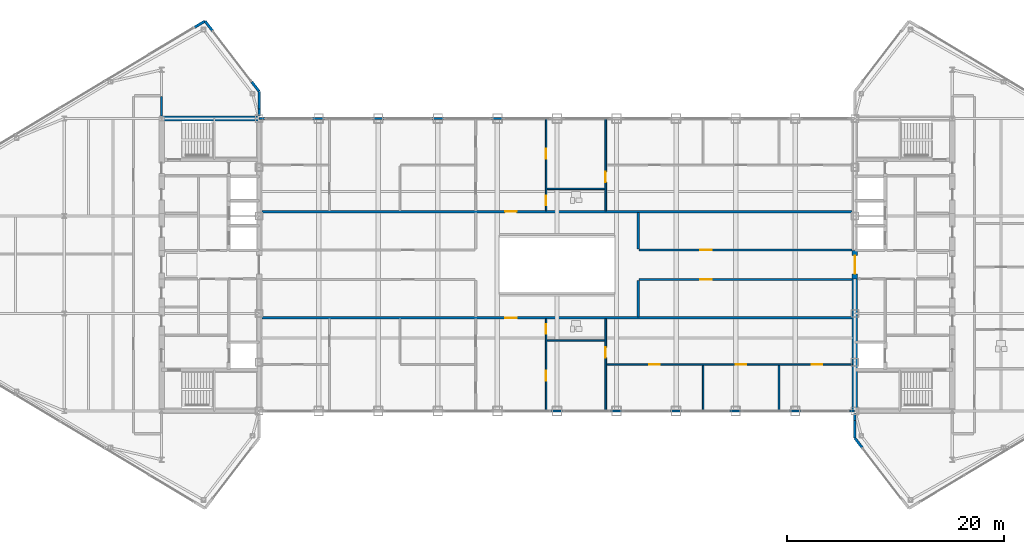
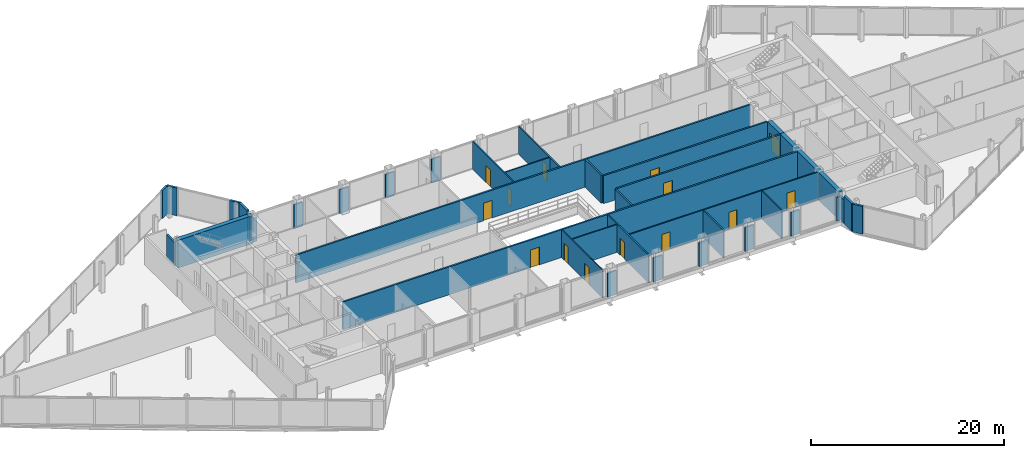
# One storey, part 23 of 29: 38 walls, 14 doors, 14 openings.
"""IFC4 building model written with IfcOpenShell, lengths in metres."""

from ifc_helpers import new_model, si_unit, direction, frame, frame_2d, origin, place, context, subcontext, project, spatial, rectangle, extrude, source, transform, mapped, material, layer, layer_set, type_object, type_shapes, element, fill, save


model = new_model("IFC4")

# Units and contexts
model_context = context("Model", 3, precision=1e-05, world=origin(), true_north=direction((0.0, 1.0)))
body_context = subcontext(model_context, "Body", "Model", "MODEL_VIEW")
ifc_project = project(units=[si_unit("LENGTHUNIT", "METRE"), si_unit("AREAUNIT", "SQUARE_METRE"), si_unit("VOLUMEUNIT", "CUBIC_METRE"), si_unit("PLANEANGLEUNIT", "RADIAN"), si_unit("MASSUNIT", "GRAM", prefix="KILO")], contexts=[model_context])

# Site, building, storey
site_placement = place(None, origin())
site = spatial("IfcSite", under=ifc_project, at=site_placement, CompositionType="ELEMENT")
building_placement = place(site_placement, origin())
building = spatial("IfcBuilding", under=site, at=building_placement, Name="Seokmaru Belvedere", CompositionType="ELEMENT")
storey_placement = place(building_placement, frame((0.0, 0.0, 258.14990234375)))
storey = spatial("IfcBuildingStorey", under=building, at=storey_placement, Name="L68", CompositionType="ELEMENT", Elevation=258.14990234375)

# Wall, openings, doors
ifc_material_1 = material(Name="Fire-Rated Gypsum Shaftwall")
ifc_layer_1 = layer(ifc_material_1, 0.14990234375)
ifc_layer_set_1 = layer_set([ifc_layer_1], Name="Fire-Rated Gypsum Shaftwall")
wall_type_1 = type_object("IfcWallType", Name="Apartment Fire-Acoustic Room Partition 150", PredefinedType="PARTITIONING", material=ifc_layer_set_1)
wall_1_placement = place(storey_placement, frame((4.5849609375, -9.199951171875, 0.0), z_axis=(0.0, 0.0, 1.0), x_axis=(1.0, 0.0, 0.0)))
wall_1 = element("IfcWall", 1, at=wall_1_placement, inside=storey, type_object=wall_type_1, Name="L68 Interior Partition 006", PredefinedType="PARTITIONING", context=body_context, shape_type="SweptSolid", body=[
    extrude(rectangle(XDim=22.66015625, YDim=0.14990234375, at=frame_2d((11.330078125, 0.0))), origin(), (0.0, 0.0, 1.0), 3.530029296875),
])
opening_1_placement = place(wall_1_placement, frame((3.93994140625, 0.0, 0.0)))
opening_1 = element("IfcOpeningElement", 2, at=opening_1_placement, cuts=wall_1, Name="Opening D05", PredefinedType="OPENING", context=body_context, shape_type="SweptSolid", body=[
    extrude(rectangle(XDim=0.949951171875, YDim=2.14990234375, at=frame_2d((0.47509765625, 1.074951171875))), frame((0.0, 0.0849609375, 0.0), z_axis=(0.0, -1.0, 0.0), x_axis=(1.0, 0.0, 0.0)), (0.0, 0.0, 1.0), 0.169921875),
])
opening_2_placement = place(wall_1_placement, frame((11.93994140625, 0.0, 0.0)))
opening_2 = element("IfcOpeningElement", 3, at=opening_2_placement, cuts=wall_1, Name="Opening D05", PredefinedType="OPENING", context=body_context, shape_type="SweptSolid", body=[
    extrude(rectangle(XDim=0.949951171875, YDim=2.14990234375, at=frame_2d((0.47509765625, 1.074951171875))), frame((0.0, 0.0849609375, 0.0), z_axis=(0.0, -1.0, 0.0), x_axis=(1.0, 0.0, 0.0)), (0.0, 0.0, 1.0), 0.169921875),
])
opening_3_placement = place(wall_1_placement, frame((18.93994140625, 0.0, 0.0)))
opening_3 = element("IfcOpeningElement", 4, at=opening_3_placement, cuts=wall_1, Name="Opening D05", PredefinedType="OPENING", context=body_context, shape_type="SweptSolid", body=[
    extrude(rectangle(XDim=0.949951171875, YDim=2.14990234375, at=frame_2d((0.47509765625, 1.074951171875))), frame((0.0, 0.0849609375, 0.0), z_axis=(0.0, -1.0, 0.0), x_axis=(1.0, 0.0, 0.0)), (0.0, 0.0, 1.0), 0.169921875),
])
ifc_material_2 = material(Name="Engineered White Oak Timber", Category="wood")
door_type_1 = type_object("IfcDoorType", Name="Apartment Interior Fire-Rated Oak Door 950x2150", OperationType="NOTDEFINED", PredefinedType="DOOR", material=ifc_material_2)
shared_shape_1 = source(origin(), body_context, "Body", "SweptSolid", [
    extrude(rectangle(XDim=0.949951171875, YDim=2.14990234375, at=frame_2d((0.47509765625, 1.074951171875))), frame((0.0, 0.02490234375, 0.0), z_axis=(0.0, -1.0, 0.0), x_axis=(1.0, 0.0, 0.0)), (0.0, 0.0, 1.0), 0.050048828125),
])
type_shapes(door_type_1, [shared_shape_1])
door_1_placement = place(opening_1_placement, origin())
door_1 = element("IfcDoor", 5, at=door_1_placement, inside=storey, type_object=door_type_1, Name="L68 Interior Door 026", OperationType="SINGLE_SWING_LEFT", OverallHeight=2.14990234375, OverallWidth=0.949951171875, PredefinedType="DOOR", context=body_context, shape_type="MappedRepresentation", body=[
    mapped(shared_shape_1, transform((0.0, 0.0, 0.0), scale=1.0)),
])
fill(opening_1, door_1)
door_2_placement = place(opening_2_placement, origin())
door_2 = element("IfcDoor", 6, at=door_2_placement, inside=storey, type_object=door_type_1, Name="L68 Interior Door 027", OperationType="SINGLE_SWING_RIGHT", OverallHeight=2.14990234375, OverallWidth=0.949951171875, PredefinedType="DOOR", context=body_context, shape_type="MappedRepresentation", body=[
    mapped(shared_shape_1, transform((0.0, 0.0, 0.0), scale=1.0)),
])
fill(opening_2, door_2)
door_3_placement = place(opening_3_placement, origin())
door_3 = element("IfcDoor", 7, at=door_3_placement, inside=storey, type_object=door_type_1, Name="L68 Interior Door 028", OperationType="SINGLE_SWING_LEFT", OverallHeight=2.14990234375, OverallWidth=0.949951171875, PredefinedType="DOOR", context=body_context, shape_type="MappedRepresentation", body=[
    mapped(shared_shape_1, transform((0.0, 0.0, 0.0), scale=1.0)),
])
fill(opening_3, door_3)

# Wall, opening, door
wall_2_placement = place(storey_placement, frame((4.5, -13.5, 0.0), z_axis=(0.0, 0.0, 1.0), x_axis=(0.0, 1.0, 0.0)))
wall_2 = element("IfcWall", 8, at=wall_2_placement, inside=storey, type_object=wall_type_1, Name="L68 Interior Partition 039", PredefinedType="PARTITIONING", context=body_context, shape_type="SweptSolid", body=[
    extrude(rectangle(XDim=8.514892578125, YDim=0.14990234375, at=frame_2d((4.25732421875, 0.0))), origin(), (0.0, 0.0, 1.0), 3.530029296875),
])
opening_4_placement = place(wall_2_placement, frame((4.925048828125, 0.0, 0.0)))
opening_4 = element("IfcOpeningElement", 9, at=opening_4_placement, cuts=wall_2, Name="Opening D05", PredefinedType="OPENING", context=body_context, shape_type="SweptSolid", body=[
    extrude(rectangle(XDim=0.949951171875, YDim=2.14990234375, at=frame_2d((0.47509765625, 1.074951171875))), frame((0.0, 0.0849609375, 0.0), z_axis=(0.0, -1.0, 0.0), x_axis=(1.0, 0.0, 0.0)), (0.0, 0.0, 1.0), 0.169921875),
])
door_4_placement = place(opening_4_placement, origin())
door_4 = element("IfcDoor", 10, at=door_4_placement, inside=storey, type_object=door_type_1, Name="L68 Interior Door 025", OperationType="SINGLE_SWING_LEFT", OverallHeight=2.14990234375, OverallWidth=0.949951171875, PredefinedType="DOOR", context=body_context, shape_type="MappedRepresentation", body=[
    mapped(shared_shape_1, transform((0.0, 0.0, 0.0), scale=1.0)),
])
fill(opening_4, door_4)

wall_3_placement = place(storey_placement, frame((4.5, 4.985107421875, 0.0), z_axis=(0.0, 0.0, 1.0), x_axis=(0.0, 1.0, 0.0)))
wall_3 = element("IfcWall", 11, at=wall_3_placement, inside=storey, type_object=wall_type_1, Name="L68 Interior Partition 040", PredefinedType="PARTITIONING", context=body_context, shape_type="SweptSolid", body=[
    extrude(rectangle(XDim=8.514892578125, YDim=0.14990234375, at=frame_2d((4.25732421875, 0.0))), origin(), (0.0, 0.0, 1.0), 3.530029296875),
])
opening_5_placement = place(wall_3_placement, frame((2.639892578125, 0.0, 0.0)))
opening_5 = element("IfcOpeningElement", 12, at=opening_5_placement, cuts=wall_3, Name="Opening D05", PredefinedType="OPENING", context=body_context, shape_type="SweptSolid", body=[
    extrude(rectangle(XDim=0.949951171875, YDim=2.14990234375, at=frame_2d((0.47509765625, 1.074951171875))), frame((0.0, 0.0849609375, 0.0), z_axis=(0.0, -1.0, 0.0), x_axis=(1.0, 0.0, 0.0)), (0.0, 0.0, 1.0), 0.169921875),
])
door_5_placement = place(opening_5_placement, origin())
door_5 = element("IfcDoor", 13, at=door_5_placement, inside=storey, type_object=door_type_1, Name="L68 Interior Door 036", OperationType="SINGLE_SWING_LEFT", OverallHeight=2.14990234375, OverallWidth=0.949951171875, PredefinedType="DOOR", context=body_context, shape_type="MappedRepresentation", body=[
    mapped(shared_shape_1, transform((0.0, 0.0, 0.0), scale=1.0)),
])
fill(opening_5, door_5)

# Walls
for number, where, z_axis, x_axis, name in (
    (14, (13.5, -13.5, 0.0), (0.0, 0.0, 1.0), (0.0, 1.0, 0.0), "L68 Interior Partition 043"),
    (15, (20.5, -13.5, 0.0), (0.0, 0.0, 1.0), (0.0, 1.0, 0.0), "L68 Interior Partition 045"),
):
    element("IfcWall", number, at=place(storey_placement, frame(where, z_axis=z_axis, x_axis=x_axis)), inside=storey, type_object=wall_type_1, Name=name, PredefinedType="PARTITIONING", context=body_context, shape_type="SweptSolid", body=[
        extrude(rectangle(XDim=4.215087890625, YDim=0.14990234375, at=frame_2d((2.107421875, 0.0))), origin(), (0.0, 0.0, 1.0), 3.530029296875),
    ])
ifc_material_3 = material(Name="Anodised Bronze Aluminium", Category="aluminium")
ifc_layer_2 = layer(ifc_material_3, 0.2099609375)
ifc_layer_set_2 = layer_set([ifc_layer_2], Name="Anodised Bronze Aluminium")
wall_type_2 = type_object("IfcWallType", Name="Bridge Column Spandrel Closure Pier 210", PredefinedType="SOLIDWALL", material=ifc_layer_set_2)
wall_4_placement = place(storey_placement, frame((-27.489990234375, 13.5, 0.0), z_axis=(0.0, 0.0, 1.0), x_axis=(1.0, 0.0, 0.0)))
element("IfcWall", 16, at=wall_4_placement, inside=storey, type_object=wall_type_2, Name="L68 Bridge North Column Closure Pier 01", PredefinedType="SOLIDWALL", context=body_context, shape_type="SweptSolid", body=[
    extrude(rectangle(XDim=0.5400390625, YDim=0.2099609375, at=frame_2d((0.27001953125, 0.0))), origin(), (0.0, 0.0, 1.0), 3.030029296875),
])
for number, where, z_axis, x_axis, name in (
    (17, (-22.550048828125, 13.5, 0.0), (0.0, 0.0, 1.0), (1.0, 0.0, 0.0), "L68 Bridge North Column Closure Pier 02"),
    (18, (-17.050048828125, 13.5, 0.0), (0.0, 0.0, 1.0), (1.0, 0.0, 0.0), "L68 Bridge North Column Closure Pier 03"),
    (19, (-11.550048828125, 13.5, 0.0), (0.0, 0.0, 1.0), (1.0, 0.0, 0.0), "L68 Bridge North Column Closure Pier 04"),
    (20, (-6.050048828125, 13.5, 0.0), (0.0, 0.0, 1.0), (1.0, 0.0, 0.0), "L68 Bridge North Column Closure Pier 05"),
    (21, (-0.550048828125, -13.5, 0.0), (0.0, 0.0, 1.0), (1.0, 0.0, 0.0), "L68 Bridge South Column Closure Pier 06"),
    (22, (4.949951171875, -13.5, 0.0), (0.0, 0.0, 1.0), (1.0, 0.0, 0.0), "L68 Bridge South Column Closure Pier 07"),
    (23, (10.449951171875, -13.5, 0.0), (0.0, 0.0, 1.0), (1.0, 0.0, 0.0), "L68 Bridge South Column Closure Pier 08"),
    (24, (15.949951171875, -13.5, 0.0), (0.0, 0.0, 1.0), (1.0, 0.0, 0.0), "L68 Bridge South Column Closure Pier 09"),
    (25, (21.449951171875, -13.5, 0.0), (0.0, 0.0, 1.0), (1.0, 0.0, 0.0), "L68 Bridge South Column Closure Pier 10"),
):
    element("IfcWall", number, at=place(storey_placement, frame(where, z_axis=z_axis, x_axis=x_axis)), inside=storey, type_object=wall_type_2, Name=name, PredefinedType="SOLIDWALL", context=body_context, shape_type="SweptSolid", body=[
        extrude(rectangle(XDim=1.10009765625, YDim=0.2099609375, at=frame_2d((0.550048828125, 0.0))), origin(), (0.0, 0.0, 1.0), 3.030029296875),
    ])
wall_5_placement = place(storey_placement, frame((26.949951171875, -13.5, 0.0), z_axis=(0.0, 0.0, 1.0), x_axis=(1.0, 0.0, 0.0)))
element("IfcWall", 26, at=wall_5_placement, inside=storey, type_object=wall_type_2, Name="L68 Bridge South Column Closure Pier 11", PredefinedType="SOLIDWALL", context=body_context, shape_type="SweptSolid", body=[
    extrude(rectangle(XDim=0.5400390625, YDim=0.2099609375, at=frame_2d((0.27001953125, 0.0))), origin(), (0.0, 0.0, 1.0), 3.030029296875),
])

# Wall, opening, door
ifc_layer_3 = layer(ifc_material_1, 0.199951171875)
ifc_layer_set_3 = layer_set([ifc_layer_3], Name="Fire-Rated Gypsum Shaftwall")
wall_type_3 = type_object("IfcWallType", Name="Inter-Tenancy Fire Compartment Partition 200", PredefinedType="PARTITIONING", material=ifc_layer_set_3)
wall_6_placement = place(storey_placement, frame((-27.2451171875, -4.89990234375, 0.0), z_axis=(0.0, 0.0, 1.0), x_axis=(1.0, 0.0, 0.0)))
wall_6 = element("IfcWall", 27, at=wall_6_placement, inside=storey, type_object=wall_type_3, Name="L68 Interior Partition 010", PredefinedType="PARTITIONING", context=body_context, shape_type="SweptSolid", body=[
    extrude(rectangle(XDim=54.490234375, YDim=0.199951171875, at=frame_2d((27.2451171875, 0.0))), origin(), (0.0, 0.0, 1.0), 3.530029296875),
])
opening_6_placement = place(wall_6_placement, frame((22.469970703125, 0.0, 0.0)))
opening_6 = element("IfcOpeningElement", 28, at=opening_6_placement, cuts=wall_6, Name="Opening D03", PredefinedType="OPENING", context=body_context, shape_type="SweptSolid", body=[
    extrude(rectangle(XDim=1.050048828125, YDim=2.25, at=frame_2d((0.52490234375, 1.125))), frame((0.0, 0.10986328125, 0.0), z_axis=(0.0, -1.0, 0.0), x_axis=(1.0, 0.0, 0.0)), (0.0, 0.0, 1.0), 0.219970703125),
])
ifc_material_4 = material(Name="Fire-Rated Steel Leaf", Category="steel")
door_type_2 = type_object("IfcDoorType", Name="Apartment Entrance Fire Door 1050x2250", OperationType="NOTDEFINED", PredefinedType="DOOR", material=ifc_material_4)
shared_shape_2 = source(origin(), body_context, "Body", "SweptSolid", [
    extrude(rectangle(XDim=1.050048828125, YDim=2.25, at=frame_2d((0.52490234375, 1.125))), frame((0.0, 0.02490234375, 0.0), z_axis=(0.0, -1.0, 0.0), x_axis=(1.0, 0.0, 0.0)), (0.0, 0.0, 1.0), 0.050048828125),
])
type_shapes(door_type_2, [shared_shape_2])
door_6_placement = place(opening_6_placement, origin())
door_6 = element("IfcDoor", 29, at=door_6_placement, inside=storey, type_object=door_type_2, Name="L68 Interior Door 018", OperationType="SINGLE_SWING_LEFT", OverallHeight=2.25, OverallWidth=1.050048828125, PredefinedType="DOOR", context=body_context, shape_type="MappedRepresentation", body=[
    mapped(shared_shape_2, transform((0.0, 0.0, 0.0), scale=1.0)),
])
fill(opening_6, door_6)

wall_7_placement = place(storey_placement, frame((7.5849609375, -1.35009765625, 0.0), z_axis=(0.0, 0.0, 1.0), x_axis=(1.0, 0.0, 0.0)))
wall_7 = element("IfcWall", 30, at=wall_7_placement, inside=storey, type_object=wall_type_3, Name="L68 Interior Partition 012", PredefinedType="PARTITIONING", context=body_context, shape_type="SweptSolid", body=[
    extrude(rectangle(XDim=19.66015625, YDim=0.199951171875, at=frame_2d((9.830078125, 0.0))), origin(), (0.0, 0.0, 1.0), 3.530029296875),
])
opening_7_placement = place(wall_7_placement, frame((5.639892578125, 0.0, 0.0)))
opening_7 = element("IfcOpeningElement", 31, at=opening_7_placement, cuts=wall_7, Name="Opening D03", PredefinedType="OPENING", context=body_context, shape_type="SweptSolid", body=[
    extrude(rectangle(XDim=1.050048828125, YDim=2.25, at=frame_2d((0.52490234375, 1.125))), frame((0.0, 0.10986328125, 0.0), z_axis=(0.0, -1.0, 0.0), x_axis=(1.0, 0.0, 0.0)), (0.0, 0.0, 1.0), 0.219970703125),
])
door_7_placement = place(opening_7_placement, origin())
door_7 = element("IfcDoor", 32, at=door_7_placement, inside=storey, type_object=door_type_2, Name="L68 Interior Door 015", OperationType="SINGLE_SWING_RIGHT", OverallHeight=2.25, OverallWidth=1.050048828125, PredefinedType="DOOR", context=body_context, shape_type="MappedRepresentation", body=[
    mapped(shared_shape_2, transform((0.0, 0.0, 0.0), scale=1.0)),
])
fill(opening_7, door_7)

wall_8_placement = place(storey_placement, frame((7.5849609375, 1.35009765625, 0.0), z_axis=(0.0, 0.0, 1.0), x_axis=(1.0, 0.0, 0.0)))
wall_8 = element("IfcWall", 33, at=wall_8_placement, inside=storey, type_object=wall_type_3, Name="L68 Interior Partition 017", PredefinedType="PARTITIONING", context=body_context, shape_type="SweptSolid", body=[
    extrude(rectangle(XDim=19.66015625, YDim=0.199951171875, at=frame_2d((9.830078125, 0.0))), origin(), (0.0, 0.0, 1.0), 3.530029296875),
])
opening_8_placement = place(wall_8_placement, frame((5.639892578125, 0.0, 0.0)))
opening_8 = element("IfcOpeningElement", 34, at=opening_8_placement, cuts=wall_8, Name="Opening D03", PredefinedType="OPENING", context=body_context, shape_type="SweptSolid", body=[
    extrude(rectangle(XDim=1.050048828125, YDim=2.25, at=frame_2d((0.52490234375, 1.125))), frame((0.0, 0.10986328125, 0.0), z_axis=(0.0, -1.0, 0.0), x_axis=(1.0, 0.0, 0.0)), (0.0, 0.0, 1.0), 0.219970703125),
])
door_8_placement = place(opening_8_placement, origin())
door_8 = element("IfcDoor", 35, at=door_8_placement, inside=storey, type_object=door_type_2, Name="L68 Interior Door 017", OperationType="SINGLE_SWING_LEFT", OverallHeight=2.25, OverallWidth=1.050048828125, PredefinedType="DOOR", context=body_context, shape_type="MappedRepresentation", body=[
    mapped(shared_shape_2, transform((0.0, 0.0, 0.0), scale=1.0)),
])
fill(opening_8, door_8)

wall_9_placement = place(storey_placement, frame((-27.2451171875, 4.89990234375, 0.0), z_axis=(0.0, 0.0, 1.0), x_axis=(1.0, 0.0, 0.0)))
wall_9 = element("IfcWall", 36, at=wall_9_placement, inside=storey, type_object=wall_type_3, Name="L68 Interior Partition 019", PredefinedType="PARTITIONING", context=body_context, shape_type="SweptSolid", body=[
    extrude(rectangle(XDim=54.490234375, YDim=0.199951171875, at=frame_2d((27.2451171875, 0.0))), origin(), (0.0, 0.0, 1.0), 3.530029296875),
])
opening_9_placement = place(wall_9_placement, frame((22.469970703125, 0.0, 0.0)))
opening_9 = element("IfcOpeningElement", 37, at=opening_9_placement, cuts=wall_9, Name="Opening D03", PredefinedType="OPENING", context=body_context, shape_type="SweptSolid", body=[
    extrude(rectangle(XDim=1.050048828125, YDim=2.25, at=frame_2d((0.52490234375, 1.125))), frame((0.0, 0.10986328125, 0.0), z_axis=(0.0, -1.0, 0.0), x_axis=(1.0, 0.0, 0.0)), (0.0, 0.0, 1.0), 0.219970703125),
])
door_9_placement = place(opening_9_placement, origin())
door_9 = element("IfcDoor", 38, at=door_9_placement, inside=storey, type_object=door_type_2, Name="L68 Interior Door 029", OperationType="SINGLE_SWING_RIGHT", OverallHeight=2.25, OverallWidth=1.050048828125, PredefinedType="DOOR", context=body_context, shape_type="MappedRepresentation", body=[
    mapped(shared_shape_2, transform((0.0, 0.0, 0.0), scale=1.0)),
])
fill(opening_9, door_9)

# Walls
wall_10_placement = place(storey_placement, frame((-36.5, 13.7548828125, 0.0), z_axis=(0.0, 0.0, 1.0), x_axis=(0.0, 1.0, 0.0)))
element("IfcWall", 39, at=wall_10_placement, inside=storey, type_object=wall_type_3, Name="L68 Interior Partition 028", PredefinedType="PARTITIONING", context=body_context, shape_type="SweptSolid", body=[
    extrude(rectangle(XDim=1.760009765625, YDim=0.199951171875, at=frame_2d((0.8798828125, 0.0))), origin(), (0.0, 0.0, 1.0), 2.93017578125),
])
for number, where, z_axis, x_axis, name in (
    (40, (7.5, -4.81494140625, 0.0), (0.0, 0.0, 1.0), (0.0, 1.0, 0.0), "L68 Interior Partition 041"),
    (41, (7.5, 1.43505859375, 0.0), (0.0, 0.0, 1.0), (0.0, 1.0, 0.0), "L68 Interior Partition 042"),
):
    element("IfcWall", number, at=place(storey_placement, frame(where, z_axis=z_axis, x_axis=x_axis)), inside=storey, type_object=wall_type_3, Name=name, PredefinedType="PARTITIONING", context=body_context, shape_type="SweptSolid", body=[
        extrude(rectangle(XDim=3.3798828125, YDim=0.199951171875, at=frame_2d((1.68994140625, 0.0))), origin(), (0.0, 0.0, 1.0), 3.530029296875),
    ])
ifc_layer_4 = layer(ifc_material_1, 0.1298828125)
ifc_layer_set_4 = layer_set([ifc_layer_4], Name="Fire-Rated Gypsum Shaftwall")
wall_type_4 = type_object("IfcWallType", Name="Moisture-Resistant Fire-Rated Bathroom Partition 130", PredefinedType="PARTITIONING", material=ifc_layer_set_4)
for number, where, z_axis, x_axis, name in (
    (42, (-0.9150390625, -7.0, 0.0), (0.0, 0.0, 1.0), (1.0, 0.0, 0.0), "L68 Interior Partition 007"),
    (43, (-0.9150390625, 7.0, 0.0), (0.0, 0.0, 1.0), (1.0, 0.0, 0.0), "L68 Interior Partition 020"),
):
    element("IfcWall", number, at=place(storey_placement, frame(where, z_axis=z_axis, x_axis=x_axis)), inside=storey, type_object=wall_type_4, Name=name, PredefinedType="PARTITIONING", context=body_context, shape_type="SweptSolid", body=[
        extrude(rectangle(XDim=5.330078125, YDim=0.1298828125, at=frame_2d((2.6650390625, 0.0))), origin(), (0.0, 0.0, 1.0), 3.530029296875),
    ])

# Wall, openings, doors
wall_11_placement = place(storey_placement, frame((-1.0, -13.5, 0.0), z_axis=(0.0, 0.0, 1.0), x_axis=(0.0, 1.0, 0.0)))
wall_11 = element("IfcWall", 44, at=wall_11_placement, inside=storey, type_object=wall_type_4, Name="L68 Interior Partition 037", PredefinedType="PARTITIONING", context=body_context, shape_type="SweptSolid", body=[
    extrude(rectangle(XDim=8.514892578125, YDim=0.1298828125, at=frame_2d((4.25732421875, 0.0))), origin(), (0.0, 0.0, 1.0), 3.530029296875),
])
opening_10_placement = place(wall_11_placement, frame((7.110107421875, 0.0, 0.0)))
opening_10 = element("IfcOpeningElement", 45, at=opening_10_placement, cuts=wall_11, Name="Opening D06", PredefinedType="OPENING", context=body_context, shape_type="SweptSolid", body=[
    extrude(rectangle(XDim=0.8798828125, YDim=2.10009765625, at=frame_2d((0.43994140625, 1.050048828125))), frame((0.0, 0.074951171875, 0.0), z_axis=(0.0, -1.0, 0.0), x_axis=(1.0, 0.0, 0.0)), (0.0, 0.0, 1.0), 0.14990234375),
])
opening_11_placement = place(wall_11_placement, frame((2.77490234375, 0.0, 0.0)))
opening_11 = element("IfcOpeningElement", 46, at=opening_11_placement, cuts=wall_11, Name="Opening D05", PredefinedType="OPENING", context=body_context, shape_type="SweptSolid", body=[
    extrude(rectangle(XDim=0.949951171875, YDim=2.14990234375, at=frame_2d((0.47509765625, 1.074951171875))), frame((0.0, 0.074951171875, 0.0), z_axis=(0.0, -1.0, 0.0), x_axis=(1.0, 0.0, 0.0)), (0.0, 0.0, 1.0), 0.14990234375),
])
door_type_3 = type_object("IfcDoorType", Name="Bathroom and Restroom Fire-Rated Door 880x2100", OperationType="NOTDEFINED", PredefinedType="DOOR", material=ifc_material_2)
shared_shape_3 = source(origin(), body_context, "Body", "SweptSolid", [
    extrude(rectangle(XDim=0.8798828125, YDim=2.10009765625, at=frame_2d((0.43994140625, 1.050048828125))), frame((0.0, 0.02490234375, 0.0), z_axis=(0.0, -1.0, 0.0), x_axis=(1.0, 0.0, 0.0)), (0.0, 0.0, 1.0), 0.050048828125),
])
type_shapes(door_type_3, [shared_shape_3])
door_10_placement = place(opening_10_placement, origin())
door_10 = element("IfcDoor", 47, at=door_10_placement, inside=storey, type_object=door_type_3, Name="L68 Interior Door 019", OperationType="SINGLE_SWING_LEFT", OverallHeight=2.10009765625, OverallWidth=0.8798828125, PredefinedType="DOOR", context=body_context, shape_type="MappedRepresentation", body=[
    mapped(shared_shape_3, transform((0.0, 0.0, 0.0), scale=1.0)),
])
fill(opening_10, door_10)
door_11_placement = place(opening_11_placement, origin())
door_11 = element("IfcDoor", 48, at=door_11_placement, inside=storey, type_object=door_type_1, Name="L68 Interior Door 020", OperationType="SINGLE_SWING_RIGHT", OverallHeight=2.14990234375, OverallWidth=0.949951171875, PredefinedType="DOOR", context=body_context, shape_type="MappedRepresentation", body=[
    mapped(shared_shape_1, transform((0.0, 0.0, 0.0), scale=1.0)),
])
fill(opening_11, door_11)

wall_12_placement = place(storey_placement, frame((-1.0, 4.985107421875, 0.0), z_axis=(0.0, 0.0, 1.0), x_axis=(0.0, 1.0, 0.0)))
wall_12 = element("IfcWall", 49, at=wall_12_placement, inside=storey, type_object=wall_type_4, Name="L68 Interior Partition 038", PredefinedType="PARTITIONING", context=body_context, shape_type="SweptSolid", body=[
    extrude(rectangle(XDim=8.514892578125, YDim=0.1298828125, at=frame_2d((4.25732421875, 0.0))), origin(), (0.0, 0.0, 1.0), 3.530029296875),
])
opening_12_placement = place(wall_12_placement, frame((0.52490234375, 0.0, 0.0)))
opening_12 = element("IfcOpeningElement", 50, at=opening_12_placement, cuts=wall_12, Name="Opening D06", PredefinedType="OPENING", context=body_context, shape_type="SweptSolid", body=[
    extrude(rectangle(XDim=0.8798828125, YDim=2.10009765625, at=frame_2d((0.43994140625, 1.050048828125))), frame((0.0, 0.074951171875, 0.0), z_axis=(0.0, -1.0, 0.0), x_axis=(1.0, 0.0, 0.0)), (0.0, 0.0, 1.0), 0.14990234375),
])
opening_13_placement = place(wall_12_placement, frame((4.7900390625, 0.0, 0.0)))
opening_13 = element("IfcOpeningElement", 51, at=opening_13_placement, cuts=wall_12, Name="Opening D05", PredefinedType="OPENING", context=body_context, shape_type="SweptSolid", body=[
    extrude(rectangle(XDim=0.949951171875, YDim=2.14990234375, at=frame_2d((0.47509765625, 1.074951171875))), frame((0.0, 0.074951171875, 0.0), z_axis=(0.0, -1.0, 0.0), x_axis=(1.0, 0.0, 0.0)), (0.0, 0.0, 1.0), 0.14990234375),
])
door_12_placement = place(opening_12_placement, origin())
door_12 = element("IfcDoor", 52, at=door_12_placement, inside=storey, type_object=door_type_3, Name="L68 Interior Door 030", OperationType="SINGLE_SWING_LEFT", OverallHeight=2.10009765625, OverallWidth=0.8798828125, PredefinedType="DOOR", context=body_context, shape_type="MappedRepresentation", body=[
    mapped(shared_shape_3, transform((0.0, 0.0, 0.0), scale=1.0)),
])
fill(opening_12, door_12)
door_13_placement = place(opening_13_placement, origin())
door_13 = element("IfcDoor", 53, at=door_13_placement, inside=storey, type_object=door_type_1, Name="L68 Interior Door 031", OperationType="SINGLE_SWING_RIGHT", OverallHeight=2.14990234375, OverallWidth=0.949951171875, PredefinedType="DOOR", context=body_context, shape_type="MappedRepresentation", body=[
    mapped(shared_shape_1, transform((0.0, 0.0, 0.0), scale=1.0)),
])
fill(opening_13, door_13)

# Walls
ifc_layer_5 = layer(ifc_material_3, 0.239990234375)
ifc_layer_set_5 = layer_set([ifc_layer_5], Name="Anodised Bronze Aluminium")
wall_type_5 = type_object("IfcWallType", Name="Tower Corner Spandrel Closure Wall 240", PredefinedType="SOLIDWALL", material=ifc_layer_set_5)
wall_13_placement = place(storey_placement, frame((-27.5, 13.7548828125, 0.0), z_axis=(0.0, 0.0, 1.0), x_axis=(0.0, 1.0, 0.0)))
element("IfcWall", 54, at=wall_13_placement, inside=storey, type_object=wall_type_5, Name="L68 W Shoulder Closure Wall 2", PredefinedType="SOLIDWALL", context=body_context, shape_type="SweptSolid", body=[
    extrude(rectangle(XDim=0.619873046875, YDim=0.239990234375, at=frame_2d((0.31005859375, 0.0))), origin(), (0.0, 0.0, 1.0), 3.030029296875),
])
wall_14_placement = place(storey_placement, frame((-27.5, 14.374755859375, 0.0), z_axis=(0.0, 0.0, 1.0), x_axis=(0.0, 1.0, 0.0)))
element("IfcWall", 55, at=wall_14_placement, inside=storey, type_object=wall_type_5, Name="L68 W Shoulder Closure Wall 2 Part 2", PredefinedType="SOLIDWALL", context=body_context, shape_type="SweptSolid", body=[
    extrude(rectangle(XDim=1.605224609375, YDim=0.239990234375, at=frame_2d((0.802734375, 0.0))), origin(), (0.0, 0.0, 1.0), 3.530029296875),
])
for number, where, z_axis, x_axis, name in (
    (56, (-27.506103515625, 16.0078125, 0.0), (0.0, 0.0, 1.0), (-0.609617623633, 0.792695624408, 0.0), "L68 W Corner Closure Pier 2A"),
    (57, (-31.798828125, 21.58837890625, 0.0), (0.0, 0.0, 1.0), (-0.609617623633, 0.792695624408, 0.0), "L68 W Corner Closure Pier 2B"),
    (58, (-32.508544921875, 22.494873046875, 0.0), (0.0, 0.0, 1.0), (-0.85743623509, -0.514590228002, 0.0), "L68 W Corner Closure Pier 3A"),
):
    element("IfcWall", number, at=place(storey_placement, frame(where, z_axis=z_axis, x_axis=x_axis)), inside=storey, type_object=wall_type_5, Name=name, PredefinedType="SOLIDWALL", context=body_context, shape_type="SweptSolid", body=[
        extrude(rectangle(XDim=1.14013671875, YDim=0.239990234375, at=frame_2d((0.570068359375, 0.0))), origin(), (0.0, 0.0, 1.0), 3.530029296875),
    ])
wall_15_placement = place(storey_placement, frame((27.5, -15.97998046875, 0.0), z_axis=(0.0, 0.0, 1.0), x_axis=(0.0, 1.0, 0.0)))
element("IfcWall", 59, at=wall_15_placement, inside=storey, type_object=wall_type_5, Name="L68 E Shoulder Closure Wall 1", PredefinedType="SOLIDWALL", context=body_context, shape_type="SweptSolid", body=[
    extrude(rectangle(XDim=1.605224609375, YDim=0.239990234375, at=frame_2d((0.802734375, 0.0))), origin(), (0.0, 0.0, 1.0), 3.530029296875),
])
wall_16_placement = place(storey_placement, frame((27.5, -14.374755859375, 0.0), z_axis=(0.0, 0.0, 1.0), x_axis=(0.0, 1.0, 0.0)))
element("IfcWall", 60, at=wall_16_placement, inside=storey, type_object=wall_type_5, Name="L68 E Shoulder Closure Wall 1 Part 2", PredefinedType="SOLIDWALL", context=body_context, shape_type="SweptSolid", body=[
    extrude(rectangle(XDim=0.619873046875, YDim=0.239990234375, at=frame_2d((0.31005859375, 0.0))), origin(), (0.0, 0.0, 1.0), 3.030029296875),
])
wall_17_placement = place(storey_placement, frame((27.506103515625, -16.0078125, 0.0), z_axis=(0.0, 0.0, 1.0), x_axis=(0.609617623633, -0.792695624408, 0.0)))
element("IfcWall", 61, at=wall_17_placement, inside=storey, type_object=wall_type_5, Name="L68 E Corner Closure Pier 6A", PredefinedType="SOLIDWALL", context=body_context, shape_type="SweptSolid", body=[
    extrude(rectangle(XDim=1.14013671875, YDim=0.239990234375, at=frame_2d((0.570068359375, 0.0))), origin(), (0.0, 0.0, 1.0), 3.530029296875),
])
ifc_material_5 = material(Name="Concrete C50 (50 MPa)", Category="concrete")
ifc_layer_6 = layer(ifc_material_5, 0.5)
ifc_layer_set_6 = layer_set([ifc_layer_6], Name="Concrete C50 (50 MPa)")
wall_type_6 = type_object("IfcWallType", Name="Upper Tower Reinforced Concrete Core Wall 500", PredefinedType="SHEAR", material=ifc_layer_set_6)
wall_18_placement = place(storey_placement, frame((-36.5, 13.5, 0.0), z_axis=(0.0, 0.0, 1.0), x_axis=(1.0, 0.0, 0.0)))
element("IfcWall", 62, at=wall_18_placement, inside=storey, type_object=wall_type_6, Name="L68 West North Core Wall", PredefinedType="SHEAR", context=body_context, shape_type="SweptSolid", body=[
    extrude(rectangle(XDim=9.0, YDim=0.5, at=frame_2d((4.5, 0.0))), origin(), (0.0, 0.0, 1.0), 3.530029296875),
])
wall_19_placement = place(storey_placement, frame((27.5, -13.5, 0.0), z_axis=(0.0, 0.0, 1.0), x_axis=(0.0, 1.0, 0.0)))
element("IfcWall", 63, at=wall_19_placement, inside=storey, type_object=wall_type_6, Name="L68 East Portal Spine Core Wall South", PredefinedType="SHEAR", context=body_context, shape_type="SweptSolid", body=[
    extrude(rectangle(XDim=12.199951171875, YDim=0.5, at=frame_2d((6.10009765625, 0.0))), origin(), (0.0, 0.0, 1.0), 3.530029296875),
])

# Wall, opening, door
wall_20_placement = place(storey_placement, frame((27.5, -1.300048828125, 0.0), z_axis=(0.0, 0.0, 1.0), x_axis=(0.0, 1.0, 0.0)))
wall_20 = element("IfcWall", 64, at=wall_20_placement, inside=storey, type_object=wall_type_6, Name="L68 East Portal Spine Core Wall Center", PredefinedType="SHEAR", context=body_context, shape_type="SweptSolid", body=[
    extrude(rectangle(XDim=2.60009765625, YDim=0.5, at=frame_2d((1.300048828125, 0.0))), origin(), (0.0, 0.0, 1.0), 3.530029296875),
])
opening_14_placement = place(wall_20_placement, frame((0.449951171875, 0.0, 0.0)))
opening_14 = element("IfcOpeningElement", 65, at=opening_14_placement, cuts=wall_20, Name="Opening D09", PredefinedType="OPENING", context=body_context, shape_type="SweptSolid", body=[
    extrude(rectangle(XDim=1.699951171875, YDim=2.35009765625, at=frame_2d((0.85009765625, 1.175048828125))), frame((0.0, 0.260009765625, 0.0), z_axis=(0.0, -1.0, 0.0), x_axis=(1.0, 0.0, 0.0)), (0.0, 0.0, 1.0), 0.52001953125),
])
door_type_4 = type_object("IfcDoorType", Name="Sky-Gate Bridge Inter-Tower Fire Door 1700x2350", OperationType="DOUBLE_SWING_LEFT", PredefinedType="DOOR", material=ifc_material_4)
shared_shape_4 = source(origin(), body_context, "Body", "SweptSolid", [
    extrude(rectangle(XDim=1.699951171875, YDim=2.35009765625, at=frame_2d((0.85009765625, 1.175048828125))), frame((0.0, 0.02490234375, 0.0), z_axis=(0.0, -1.0, 0.0), x_axis=(1.0, 0.0, 0.0)), (0.0, 0.0, 1.0), 0.050048828125),
])
type_shapes(door_type_4, [shared_shape_4])
door_14_placement = place(opening_14_placement, origin())
door_14 = element("IfcDoor", 66, at=door_14_placement, inside=storey, type_object=door_type_4, Name="L68 East Inter-Tower Fire Door", OperationType="DOUBLE_SWING_LEFT", OverallHeight=2.35009765625, OverallWidth=1.699951171875, PredefinedType="DOOR", context=body_context, shape_type="MappedRepresentation", body=[
    mapped(shared_shape_4, transform((0.0, 0.0, 0.0), scale=1.0)),
])
fill(opening_14, door_14)

save(model, "model.ifc")
